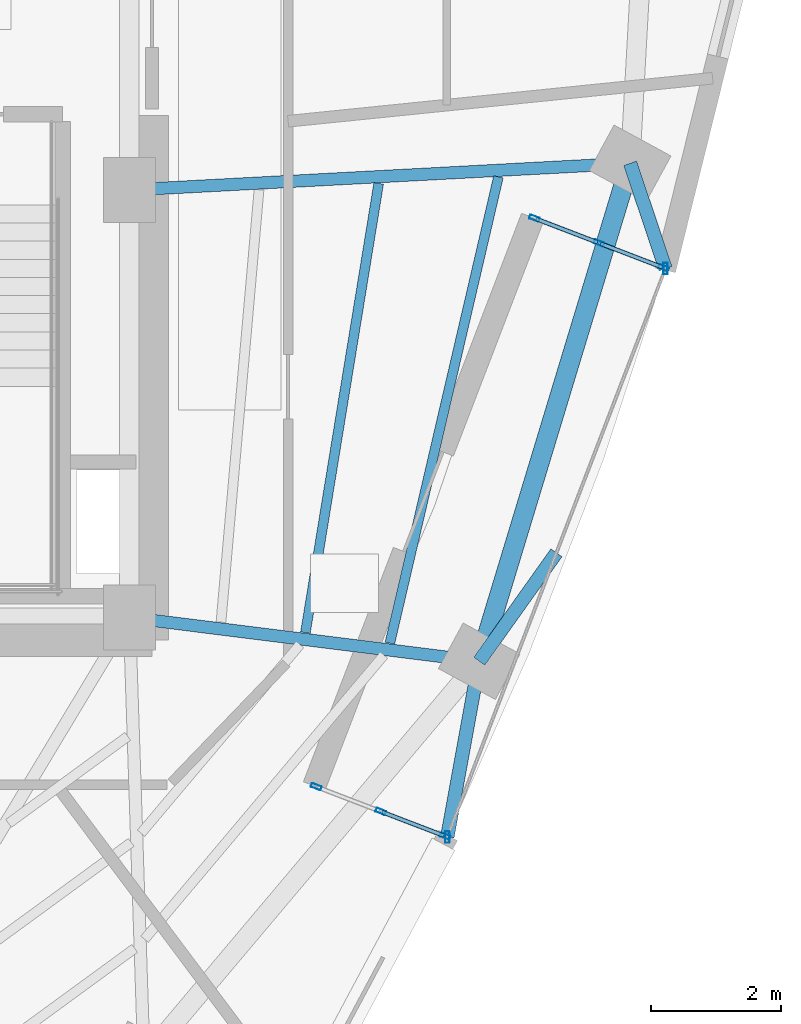
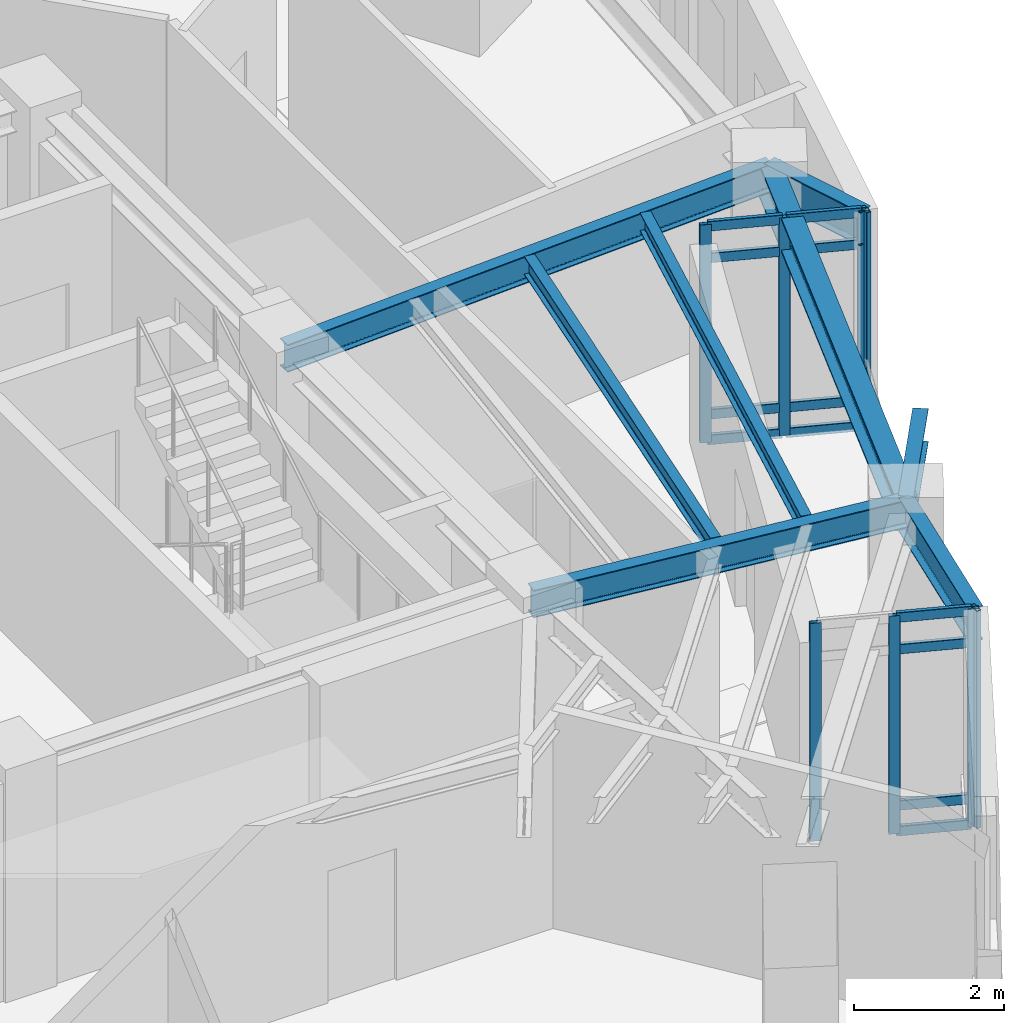
# One storey, part 2 of 10: 20 members, 8 beams, 2 elements without a shape of their own.
"""IFC4 building model written with IfcOpenShell, lengths in metres."""

from ifc_helpers import new_model, si_unit, direction, frame, origin, origin_2d, place, context, subcontext, project, spatial, hollow_rectangle, i_section, extrude, material, layer, layer_set, material_profile, profile_set, type_object, element, aggregate, save


model = new_model("IFC4")

# Units and contexts
model_context = context("Model", 3, precision=1e-05, world=origin(), true_north=direction((0.0, 1.0)))
body_context = subcontext(model_context, "Body", "Model", "MODEL_VIEW")
ifc_project = project(units=[si_unit("LENGTHUNIT", "METRE"), si_unit("AREAUNIT", "SQUARE_METRE"), si_unit("VOLUMEUNIT", "CUBIC_METRE"), si_unit("PLANEANGLEUNIT", "RADIAN"), si_unit("MASSUNIT", "GRAM", prefix="KILO")], contexts=[model_context])

# Site, building, storey
site_placement = place(None, origin())
site = spatial("IfcSite", under=ifc_project, at=site_placement, CompositionType="ELEMENT")
building_placement = place(site_placement, origin())
building = spatial("IfcBuilding", under=site, at=building_placement, Name="Ndelora Gate Hotel", CompositionType="ELEMENT")
storey_placement = place(building_placement, frame((0.0, 0.0, 239.75)))
storey = spatial("IfcBuildingStorey", under=building, at=storey_placement, Name="L60", CompositionType="ELEMENT", Elevation=239.75)

# Beams
ifc_material_1 = material(Name="Steel S355", Category="steel")
ifc_material_profile_1 = material_profile(ifc_material_1, i_section(OverallWidth=0.14990234375, OverallDepth=0.300048828125, WebThickness=0.007080078125, FlangeThickness=0.0107421875, FilletRadius=0.014892578125, at=origin_2d()), Name="IPE 300")
ifc_profile_set_1 = profile_set([ifc_material_profile_1], Name="Steel S355")
beam_type_1 = type_object("IfcBeamType", Name="BM-JST-300", PredefinedType="JOIST", material=ifc_profile_set_1)
beam_1_placement = place(storey_placement, frame((10.717041015625, -6.834228515625, 3.39990234375), z_axis=(0.160939239626, 0.986964316046, 0.0), x_axis=(-0.986964316046, 0.160939239626, 0.0)))
element("IfcBeam", 1, at=beam_1_placement, inside=storey, type_object=beam_type_1, Name="L60 Secondary Composite Floor Joist MID-7", PredefinedType="JOIST", context=body_context, shape_type="SweptSolid", body=[
    extrude(i_section(OverallWidth=0.14990234375, OverallDepth=0.300048828125, WebThickness=0.007080078125, FlangeThickness=0.0107421875, FilletRadius=0.014892578125, at=origin_2d()), origin(), (0.0, 0.0, 1.0), 7.028076171875),
])
beam_2_placement = place(storey_placement, frame((12.02001953125, -6.997802734375, 3.39990234375), z_axis=(0.22674518397, 0.973954116756, 0.0), x_axis=(-0.973954116756, 0.22674518397, 0.0)))
element("IfcBeam", 2, at=beam_2_placement, inside=storey, type_object=beam_type_1, Name="L60 Secondary Composite Floor Joist OUT-7", PredefinedType="JOIST", context=body_context, shape_type="SweptSolid", body=[
    extrude(i_section(OverallWidth=0.14990234375, OverallDepth=0.300048828125, WebThickness=0.007080078125, FlangeThickness=0.0107421875, FilletRadius=0.014892578125, at=origin_2d()), origin(), (0.0, 0.0, 1.0), 7.392822265625),
])
ifc_material_profile_2 = material_profile(ifc_material_1, i_section(OverallWidth=0.18994140625, OverallDepth=0.449951171875, WebThickness=0.009521484375, FlangeThickness=0.0146484375, FilletRadius=0.02099609375, at=origin_2d()), Name="IPE 450")
ifc_profile_set_2 = profile_set([ifc_material_profile_2], Name="Steel S355")
beam_type_2 = type_object("IfcBeamType", Name="BM-RAD-450", PredefinedType="BEAM", material=ifc_profile_set_2)
beam_3_placement = place(storey_placement, frame((8.0, -6.60009765625, 3.324951171875), z_axis=(0.992266830725, -0.124123070552, 0.0), x_axis=(0.124123070552, 0.992266830725, 0.0)))
element("IfcBeam", 3, at=beam_3_placement, inside=storey, type_object=beam_type_2, Name="L60 Radial Floor Girder 7", PredefinedType="BEAM", context=body_context, shape_type="SweptSolid", body=[
    extrude(i_section(OverallWidth=0.18994140625, OverallDepth=0.449951171875, WebThickness=0.009521484375, FlangeThickness=0.0146484375, FilletRadius=0.02099609375, at=origin_2d()), origin(), (0.0, 0.0, 1.0), 5.4423828125),
])
beam_4_placement = place(storey_placement, frame((8.0, 0.0, 3.324951171875), z_axis=(0.998583554121, 0.053206065814, 0.0), x_axis=(-0.053206065814, 0.998583554121, 0.0)))
element("IfcBeam", 4, at=beam_4_placement, inside=storey, type_object=beam_type_2, Name="L60 Radial Floor Girder 8", PredefinedType="BEAM", context=body_context, shape_type="SweptSolid", body=[
    extrude(i_section(OverallWidth=0.18994140625, OverallDepth=0.449951171875, WebThickness=0.009521484375, FlangeThickness=0.0146484375, FilletRadius=0.02099609375, at=origin_2d()), origin(), (0.0, 0.0, 1.0), 7.740966796875),
])
ifc_material_profile_3 = material_profile(ifc_material_1, i_section(OverallWidth=0.2099609375, OverallDepth=0.550048828125, WebThickness=0.010986328125, FlangeThickness=0.01708984375, FilletRadius=0.02392578125, at=origin_2d()), Name="IPE 550")
ifc_profile_set_3 = profile_set([ifc_material_profile_3], Name="Steel S355")
beam_type_3 = type_object("IfcBeamType", Name="BM-RAD-550", PredefinedType="BEAM", material=ifc_profile_set_3)
beam_5_placement = place(storey_placement, frame((13.400390625, -7.275634765625, 3.27490234375), z_axis=(-0.178737417868, -0.983896811385, 0.0), x_axis=(0.983896811385, -0.178737417868, 0.0)))
element("IfcBeam", 5, at=beam_5_placement, inside=storey, type_object=beam_type_3, Name="L60 Sky-Garden Loggia Column Bracket 1", PredefinedType="BEAM", context=body_context, shape_type="SweptSolid", body=[
    extrude(i_section(OverallWidth=0.2099609375, OverallDepth=0.550048828125, WebThickness=0.010986328125, FlangeThickness=0.01708984375, FilletRadius=0.02392578125, at=origin_2d()), origin(), (0.0, 0.0, 1.0), 2.7578125),
])
beam_6_placement = place(storey_placement, frame((13.400390625, -7.275634765625, 3.27490234375), z_axis=(0.579776256686, 0.814775731219, 0.0), x_axis=(-0.814775731219, 0.579776256686, 0.0)))
element("IfcBeam", 6, at=beam_6_placement, inside=storey, type_object=beam_type_3, Name="L60 Sky-Garden Loggia Column Bracket 2", PredefinedType="BEAM", context=body_context, shape_type="SweptSolid", body=[
    extrude(i_section(OverallWidth=0.2099609375, OverallDepth=0.550048828125, WebThickness=0.010986328125, FlangeThickness=0.01708984375, FilletRadius=0.02392578125, at=origin_2d()), origin(), (0.0, 0.0, 1.0), 2.054931640625),
])
beam_7_placement = place(storey_placement, frame((15.72998046875, 0.411865234375, 3.27490234375), z_axis=(0.31853360111, -0.947911570224, 0.0), x_axis=(0.947911570224, 0.31853360111, 0.0)))
element("IfcBeam", 7, at=beam_7_placement, inside=storey, type_object=beam_type_3, Name="L60 Sky-Garden Loggia Column Bracket 3", PredefinedType="BEAM", context=body_context, shape_type="SweptSolid", body=[
    extrude(i_section(OverallWidth=0.2099609375, OverallDepth=0.550048828125, WebThickness=0.010986328125, FlangeThickness=0.01708984375, FilletRadius=0.02392578125, at=origin_2d()), origin(), (0.0, 0.0, 1.0), 1.714599609375),
])
ifc_material_profile_4 = material_profile(ifc_material_1, i_section(OverallWidth=0.300048828125, OverallDepth=0.550048828125, WebThickness=0.014892578125, FlangeThickness=0.029052734375, FilletRadius=0.027099609375, at=origin_2d()), Name="HEB 550")
ifc_profile_set_4 = profile_set([ifc_material_profile_4], Name="Steel S355")
beam_type_4 = type_object("IfcBeamType", Name="BM-RING-550", PredefinedType="SPANDREL", material=ifc_profile_set_4)
beam_8_placement = place(storey_placement, frame((13.400390625, -7.275634765625, 3.27490234375), z_axis=(0.290012456561, 0.957022870698, 0.0), x_axis=(-0.957022870698, 0.290012456561, 0.0)))
element("IfcBeam", 8, at=beam_8_placement, inside=storey, type_object=beam_type_4, Name="L60 Perimeter Spandrel Girder 7", PredefinedType="SPANDREL", context=body_context, shape_type="SweptSolid", body=[
    extrude(i_section(OverallWidth=0.300048828125, OverallDepth=0.550048828125, WebThickness=0.014892578125, FlangeThickness=0.029052734375, FilletRadius=0.027099609375, at=origin_2d()), origin(), (0.0, 0.0, 1.0), 8.03271484375),
])

# Curtain wall, members
ifc_material_2 = material(Name="Bronze Anodised Unitised Aluminium and Low-E Glass", Category="aluminium")
ifc_layer = layer(ifc_material_2, 0.199951171875)
ifc_layer_set = layer_set([ifc_layer], Name="Bronze Anodised Unitised Aluminium and Low-E Glass")
curtain_wall_type = type_object("IfcCurtainWallType", Name="CW-SYS-3", PredefinedType="NOTDEFINED", material=ifc_layer_set)
curtain_wall_1_placement = place(storey_placement, origin())
curtain_wall_1 = element("IfcCurtainWall", 9, at=curtain_wall_1_placement, inside=storey, type_object=curtain_wall_type, Name="L60 Sky-Garden Loggia Side Curtain Wall CW3-1", PredefinedType="NOTDEFINED")
ifc_material_3 = material(Name="Bronze Anodised Aluminium 6063-T6", Category="aluminium")
ifc_material_profile_5 = material_profile(ifc_material_3, hollow_rectangle(XDim=0.06494140625, YDim=0.159912109375, WallThickness=0.00390625, InnerFilletRadius=0.00390625, OuterFilletRadius=0.008056640625, at=origin_2d()), Name="ALU 160x65x4")
ifc_profile_set_5 = profile_set([ifc_material_profile_5], Name="Bronze Anodised Aluminium 6063-T6")
member_type_1 = type_object("IfcMemberType", Name="MB-CW-MUL150", PredefinedType="MULLION", material=ifc_profile_set_5)
member_1_placement = place(storey_placement, frame((10.884033203125, -9.21240234375, -0.00390625), z_axis=(0.0, 0.0, 1.0), x_axis=(0.35837589096, 0.933577378035, 0.0)))
member_1 = element("IfcMember", 10, at=member_1_placement, type_object=member_type_1, Name="CW3 mullion 1", PredefinedType="MULLION", context=body_context, shape_type="SweptSolid", body=[
    extrude(hollow_rectangle(XDim=0.06494140625, YDim=0.159912109375, WallThickness=0.00390625, InnerFilletRadius=0.00390625, OuterFilletRadius=0.008056640625, at=origin_2d()), origin(), (0.0, 0.0, 1.0), 3.557861328125),
])
member_2_placement = place(storey_placement, frame((11.880615234375, -9.594970703125, -0.00390625), z_axis=(0.0, 0.0, 1.0), x_axis=(0.35837589096, 0.933577378035, 0.0)))
member_2 = element("IfcMember", 11, at=member_2_placement, type_object=member_type_1, Name="CW3 mullion 2", PredefinedType="MULLION", context=body_context, shape_type="SweptSolid", body=[
    extrude(hollow_rectangle(XDim=0.06494140625, YDim=0.159912109375, WallThickness=0.00390625, InnerFilletRadius=0.00390625, OuterFilletRadius=0.008056640625, at=origin_2d()), origin(), (0.0, 0.0, 1.0), 3.557861328125),
])
member_3_placement = place(storey_placement, frame((12.876953125, -9.9775390625, -0.00390625), z_axis=(0.0, 0.0, 1.0), x_axis=(0.35837589096, 0.933577378035, 0.0)))
member_3 = element("IfcMember", 12, at=member_3_placement, type_object=member_type_1, Name="CW3 mullion 3", PredefinedType="MULLION", context=body_context, shape_type="SweptSolid", body=[
    extrude(hollow_rectangle(XDim=0.06494140625, YDim=0.159912109375, WallThickness=0.00390625, InnerFilletRadius=0.00390625, OuterFilletRadius=0.008056640625, at=origin_2d()), origin(), (0.0, 0.0, 1.0), 3.557861328125),
])

curtain_wall_2_placement = place(storey_placement, origin())
curtain_wall_2 = element("IfcCurtainWall", 13, at=curtain_wall_2_placement, inside=storey, type_object=curtain_wall_type, Name="L60 Sky-Garden Loggia Side Curtain Wall CW3-2", PredefinedType="NOTDEFINED")
member_4_placement = place(storey_placement, frame((16.245849609375, -1.20166015625, -0.00390625), z_axis=(0.0, 0.0, 1.0), x_axis=(-0.358360683234, -0.93358321574, 0.0)))
member_4 = element("IfcMember", 14, at=member_4_placement, type_object=member_type_1, Name="CW3 mullion 1", PredefinedType="MULLION", context=body_context, shape_type="SweptSolid", body=[
    extrude(hollow_rectangle(XDim=0.06494140625, YDim=0.159912109375, WallThickness=0.00390625, InnerFilletRadius=0.00390625, OuterFilletRadius=0.008056640625, at=origin_2d()), origin(), (0.0, 0.0, 1.0), 3.557861328125),
])
member_5_placement = place(storey_placement, frame((15.249267578125, -0.819091796875, -0.00390625), z_axis=(0.0, 0.0, 1.0), x_axis=(-0.358360683234, -0.93358321574, 0.0)))
member_5 = element("IfcMember", 15, at=member_5_placement, type_object=member_type_1, Name="CW3 mullion 2", PredefinedType="MULLION", context=body_context, shape_type="SweptSolid", body=[
    extrude(hollow_rectangle(XDim=0.06494140625, YDim=0.159912109375, WallThickness=0.00390625, InnerFilletRadius=0.00390625, OuterFilletRadius=0.008056640625, at=origin_2d()), origin(), (0.0, 0.0, 1.0), 3.557861328125),
])
member_6_placement = place(storey_placement, frame((14.25244140625, -0.436767578125, -0.00390625), z_axis=(0.0, 0.0, 1.0), x_axis=(-0.358360683234, -0.93358321574, 0.0)))
member_6 = element("IfcMember", 16, at=member_6_placement, type_object=member_type_1, Name="CW3 mullion 3", PredefinedType="MULLION", context=body_context, shape_type="SweptSolid", body=[
    extrude(hollow_rectangle(XDim=0.06494140625, YDim=0.159912109375, WallThickness=0.00390625, InnerFilletRadius=0.00390625, OuterFilletRadius=0.008056640625, at=origin_2d()), origin(), (0.0, 0.0, 1.0), 3.557861328125),
])

# Member
ifc_material_profile_6 = material_profile(ifc_material_3, hollow_rectangle(XDim=0.070068359375, YDim=0.179931640625, WallThickness=0.0048828125, InnerFilletRadius=0.0048828125, OuterFilletRadius=0.010009765625, at=origin_2d()), Name="ALU 180x70x5")
ifc_profile_set_6 = profile_set([ifc_material_profile_6], Name="Bronze Anodised Aluminium 6063-T6")
member_type_2 = type_object("IfcMemberType", Name="MB-CW-MUL180", PredefinedType="MULLION", material=ifc_profile_set_6)
member_7_placement = place(storey_placement, frame((12.907470703125, -9.989013671875, 0.0), z_axis=(0.0, 0.0, 1.0), x_axis=(1.0, 0.0, 0.0)))
member_7 = element("IfcMember", 17, at=member_7_placement, type_object=member_type_2, Name="L60 Sky-Garden Loggia Corner Mullion Post 1", PredefinedType="MULLION", context=body_context, shape_type="SweptSolid", body=[
    extrude(hollow_rectangle(XDim=0.070068359375, YDim=0.179931640625, WallThickness=0.0048828125, InnerFilletRadius=0.0048828125, OuterFilletRadius=0.010009765625, at=origin_2d()), origin(), (0.0, 0.0, 1.0), 3.550048828125),
])

member_8_placement = place(storey_placement, frame((16.276123046875, -1.21337890625, 0.0), z_axis=(0.0, 0.0, 1.0), x_axis=(1.0, 0.0, 0.0)))
member_8 = element("IfcMember", 18, at=member_8_placement, type_object=member_type_2, Name="L60 Sky-Garden Loggia Corner Mullion Post 2", PredefinedType="MULLION", context=body_context, shape_type="SweptSolid", body=[
    extrude(hollow_rectangle(XDim=0.070068359375, YDim=0.179931640625, WallThickness=0.0048828125, InnerFilletRadius=0.0048828125, OuterFilletRadius=0.010009765625, at=origin_2d()), origin(), (0.0, 0.0, 1.0), 3.550048828125),
])

ifc_material_profile_7 = material_profile(ifc_material_3, hollow_rectangle(XDim=0.06494140625, YDim=0.159912109375, WallThickness=0.00390625, InnerFilletRadius=0.00390625, OuterFilletRadius=0.008056640625, at=origin_2d()), Name="ALU 160x65x4")
ifc_profile_set_7 = profile_set([ifc_material_profile_7], Name="Bronze Anodised Aluminium 6063-T6")
member_type_3 = type_object("IfcMemberType", Name="MB-CW-TRN150", PredefinedType="USERDEFINED", material=ifc_profile_set_7)
member_9_placement = place(storey_placement, frame((11.9052734375, -9.6044921875, 0.032470703125), z_axis=(0.93358111833, -0.358366147253, 0.0), x_axis=(0.358366147253, 0.93358111833, 0.0)))
member_9 = element("IfcMember", 19, at=member_9_placement, type_object=member_type_3, Name="CW3 transom 2.1", ObjectType="TRANSOM", PredefinedType="USERDEFINED", context=body_context, shape_type="SweptSolid", body=[
    extrude(hollow_rectangle(XDim=0.06494140625, YDim=0.159912109375, WallThickness=0.00390625, InnerFilletRadius=0.00390625, OuterFilletRadius=0.008056640625, at=origin_2d()), origin(), (0.0, 0.0, 1.0), 1.014404296875),
])

member_10_placement = place(storey_placement, frame((11.9052734375, -9.6044921875, 0.449951171875), z_axis=(0.93358111833, -0.358366147253, 0.0), x_axis=(0.358366147253, 0.93358111833, 0.0)))
member_10 = element("IfcMember", 20, at=member_10_placement, type_object=member_type_3, Name="CW3 transom 2.2", ObjectType="TRANSOM", PredefinedType="USERDEFINED", context=body_context, shape_type="SweptSolid", body=[
    extrude(hollow_rectangle(XDim=0.06494140625, YDim=0.159912109375, WallThickness=0.00390625, InnerFilletRadius=0.00390625, OuterFilletRadius=0.008056640625, at=origin_2d()), origin(), (0.0, 0.0, 1.0), 1.014404296875),
])

member_11_placement = place(storey_placement, frame((11.9052734375, -9.6044921875, 3.0), z_axis=(0.93358111833, -0.358366147253, 0.0), x_axis=(0.358366147253, 0.93358111833, 0.0)))
member_11 = element("IfcMember", 21, at=member_11_placement, type_object=member_type_3, Name="CW3 transom 2.3", ObjectType="TRANSOM", PredefinedType="USERDEFINED", context=body_context, shape_type="SweptSolid", body=[
    extrude(hollow_rectangle(XDim=0.06494140625, YDim=0.159912109375, WallThickness=0.00390625, InnerFilletRadius=0.00390625, OuterFilletRadius=0.008056640625, at=origin_2d()), origin(), (0.0, 0.0, 1.0), 1.014404296875),
])

member_12_placement = place(storey_placement, frame((11.9052734375, -9.6044921875, 3.517578125), z_axis=(0.93358111833, -0.358366147253, 0.0), x_axis=(0.358366147253, 0.93358111833, 0.0)))
member_12 = element("IfcMember", 22, at=member_12_placement, type_object=member_type_3, Name="CW3 transom 2.4", ObjectType="TRANSOM", PredefinedType="USERDEFINED", context=body_context, shape_type="SweptSolid", body=[
    extrude(hollow_rectangle(XDim=0.06494140625, YDim=0.159912109375, WallThickness=0.00390625, InnerFilletRadius=0.00390625, OuterFilletRadius=0.008056640625, at=origin_2d()), origin(), (0.0, 0.0, 1.0), 1.014404296875),
])

aggregate(curtain_wall_1, [member_1, member_2, member_3, member_9, member_10, member_11, member_12, member_7])

member_13_placement = place(storey_placement, frame((16.220947265625, -1.192138671875, 0.032470703125), z_axis=(-0.93358111833, 0.358366147253, 0.0), x_axis=(-0.358366147253, -0.93358111833, 0.0)))
member_13 = element("IfcMember", 23, at=member_13_placement, type_object=member_type_3, Name="CW3 transom 1.1", ObjectType="TRANSOM", PredefinedType="USERDEFINED", context=body_context, shape_type="SweptSolid", body=[
    extrude(hollow_rectangle(XDim=0.06494140625, YDim=0.159912109375, WallThickness=0.00390625, InnerFilletRadius=0.00390625, OuterFilletRadius=0.008056640625, at=origin_2d()), origin(), (0.0, 0.0, 1.0), 1.014404296875),
])

member_14_placement = place(storey_placement, frame((16.220947265625, -1.192138671875, 0.449951171875), z_axis=(-0.93358111833, 0.358366147253, 0.0), x_axis=(-0.358366147253, -0.93358111833, 0.0)))
member_14 = element("IfcMember", 24, at=member_14_placement, type_object=member_type_3, Name="CW3 transom 1.2", ObjectType="TRANSOM", PredefinedType="USERDEFINED", context=body_context, shape_type="SweptSolid", body=[
    extrude(hollow_rectangle(XDim=0.06494140625, YDim=0.159912109375, WallThickness=0.00390625, InnerFilletRadius=0.00390625, OuterFilletRadius=0.008056640625, at=origin_2d()), origin(), (0.0, 0.0, 1.0), 1.014404296875),
])

member_15_placement = place(storey_placement, frame((16.220947265625, -1.192138671875, 3.0), z_axis=(-0.93358111833, 0.358366147253, 0.0), x_axis=(-0.358366147253, -0.93358111833, 0.0)))
member_15 = element("IfcMember", 25, at=member_15_placement, type_object=member_type_3, Name="CW3 transom 1.3", ObjectType="TRANSOM", PredefinedType="USERDEFINED", context=body_context, shape_type="SweptSolid", body=[
    extrude(hollow_rectangle(XDim=0.06494140625, YDim=0.159912109375, WallThickness=0.00390625, InnerFilletRadius=0.00390625, OuterFilletRadius=0.008056640625, at=origin_2d()), origin(), (0.0, 0.0, 1.0), 1.014404296875),
])

member_16_placement = place(storey_placement, frame((16.220947265625, -1.192138671875, 3.517578125), z_axis=(-0.93358111833, 0.358366147253, 0.0), x_axis=(-0.358366147253, -0.93358111833, 0.0)))
member_16 = element("IfcMember", 26, at=member_16_placement, type_object=member_type_3, Name="CW3 transom 1.4", ObjectType="TRANSOM", PredefinedType="USERDEFINED", context=body_context, shape_type="SweptSolid", body=[
    extrude(hollow_rectangle(XDim=0.06494140625, YDim=0.159912109375, WallThickness=0.00390625, InnerFilletRadius=0.00390625, OuterFilletRadius=0.008056640625, at=origin_2d()), origin(), (0.0, 0.0, 1.0), 1.014404296875),
])

member_17_placement = place(storey_placement, frame((15.224365234375, -0.809814453125, 0.032470703125), z_axis=(-0.933500580315, 0.358575886741, 0.0), x_axis=(-0.358575886741, -0.933500580315, 0.0)))
member_17 = element("IfcMember", 27, at=member_17_placement, type_object=member_type_3, Name="CW3 transom 2.1", ObjectType="TRANSOM", PredefinedType="USERDEFINED", context=body_context, shape_type="SweptSolid", body=[
    extrude(hollow_rectangle(XDim=0.06494140625, YDim=0.159912109375, WallThickness=0.00390625, InnerFilletRadius=0.00390625, OuterFilletRadius=0.008056640625, at=origin_2d()), origin(), (0.0, 0.0, 1.0), 1.014404296875),
])

member_18_placement = place(storey_placement, frame((15.224365234375, -0.809814453125, 0.449951171875), z_axis=(-0.933500580315, 0.358575886741, 0.0), x_axis=(-0.358575886741, -0.933500580315, 0.0)))
member_18 = element("IfcMember", 28, at=member_18_placement, type_object=member_type_3, Name="CW3 transom 2.2", ObjectType="TRANSOM", PredefinedType="USERDEFINED", context=body_context, shape_type="SweptSolid", body=[
    extrude(hollow_rectangle(XDim=0.06494140625, YDim=0.159912109375, WallThickness=0.00390625, InnerFilletRadius=0.00390625, OuterFilletRadius=0.008056640625, at=origin_2d()), origin(), (0.0, 0.0, 1.0), 1.014404296875),
])

member_19_placement = place(storey_placement, frame((15.224365234375, -0.809814453125, 3.0), z_axis=(-0.933500580315, 0.358575886741, 0.0), x_axis=(-0.358575886741, -0.933500580315, 0.0)))
member_19 = element("IfcMember", 29, at=member_19_placement, type_object=member_type_3, Name="CW3 transom 2.3", ObjectType="TRANSOM", PredefinedType="USERDEFINED", context=body_context, shape_type="SweptSolid", body=[
    extrude(hollow_rectangle(XDim=0.06494140625, YDim=0.159912109375, WallThickness=0.00390625, InnerFilletRadius=0.00390625, OuterFilletRadius=0.008056640625, at=origin_2d()), origin(), (0.0, 0.0, 1.0), 1.014404296875),
])

member_20_placement = place(storey_placement, frame((15.224365234375, -0.809814453125, 3.517578125), z_axis=(-0.933500580315, 0.358575886741, 0.0), x_axis=(-0.358575886741, -0.933500580315, 0.0)))
member_20 = element("IfcMember", 30, at=member_20_placement, type_object=member_type_3, Name="CW3 transom 2.4", ObjectType="TRANSOM", PredefinedType="USERDEFINED", context=body_context, shape_type="SweptSolid", body=[
    extrude(hollow_rectangle(XDim=0.06494140625, YDim=0.159912109375, WallThickness=0.00390625, InnerFilletRadius=0.00390625, OuterFilletRadius=0.008056640625, at=origin_2d()), origin(), (0.0, 0.0, 1.0), 1.014404296875),
])

aggregate(curtain_wall_2, [member_4, member_5, member_6, member_13, member_14, member_15, member_16, member_17, member_18, member_19, member_20, member_8])

save(model, "model.ifc")
